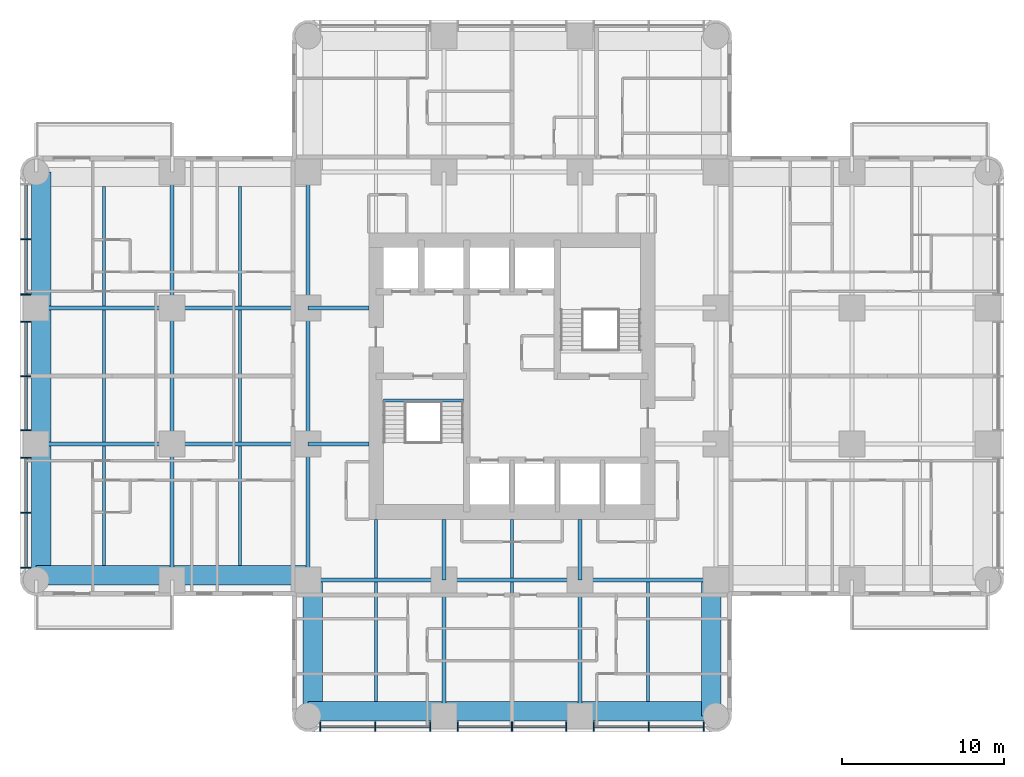
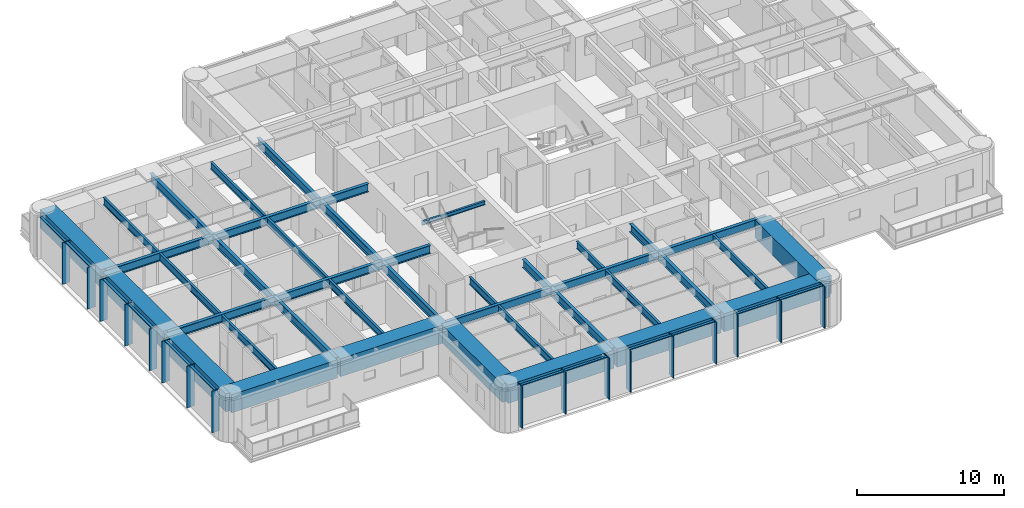
# One storey, part 2 of 15: 41 beams, 29 members, 2 elements without a shape of their own.
"""IFC4 building model written with IfcOpenShell, lengths in metres."""

from ifc_helpers import new_model, si_unit, direction, frame, origin, origin_2d, place, context, subcontext, project, spatial, rectangle, i_section, extrude, material, material_profile, profile_set, type_object, element, aggregate, save


model = new_model("IFC4")

# Units and contexts
model_context = context("Model", 3, precision=1e-05, world=origin(), true_north=direction((0.0, 1.0)))
body_context = subcontext(model_context, "Body", "Model", "MODEL_VIEW")
ifc_project = project(units=[si_unit("LENGTHUNIT", "METRE"), si_unit("AREAUNIT", "SQUARE_METRE"), si_unit("VOLUMEUNIT", "CUBIC_METRE"), si_unit("PLANEANGLEUNIT", "RADIAN"), si_unit("MASSUNIT", "GRAM", prefix="KILO")], contexts=[model_context])

# Site, building, storey
site_placement = place(None, origin())
site = spatial("IfcSite", under=ifc_project, at=site_placement, CompositionType="ELEMENT")
building_placement = place(site_placement, origin())
building = spatial("IfcBuilding", under=site, at=building_placement, Name="Torre Alcanfor", CompositionType="ELEMENT")
storey_placement = place(building_placement, frame((0.0, 0.0, 152.10009765625)))
storey = spatial("IfcBuildingStorey", under=building, at=storey_placement, Name="L39", CompositionType="ELEMENT", Elevation=152.10009765625)

# Curtain wall, members
ifc_material_1 = material(Name="Aluminium and glass", Category="aluminium")
curtain_wall_type = type_object("IfcCurtainWallType", Name="CW-A unitised apartment glazing with vertical FIN", PredefinedType="NOTDEFINED", material=ifc_material_1)
curtain_wall_1_placement = place(storey_placement, origin())
curtain_wall_1 = element("IfcCurtainWall", 1, at=curtain_wall_1_placement, inside=storey, type_object=curtain_wall_type, Name="Curtain wall CW-A L39 2", PredefinedType="NOTDEFINED")
ifc_material_2 = material(Name="Bronze anodised aluminium", Category="aluminium")
ifc_material_profile_1 = material_profile(ifc_material_2, rectangle(XDim=0.60009765625, YDim=0.06494140625, at=origin_2d()), Name="CW-A mullion 65x600")
ifc_profile_set_1 = profile_set([ifc_material_profile_1], Name="Bronze anodised aluminium")
member_type_1 = type_object("IfcMemberType", Name="CW-A mullion with vertical FIN 65x600", PredefinedType="MULLION", material=ifc_profile_set_1)
member_1_placement = place(storey_placement, frame((-0.64990234375, 37.840087890625, 0.0), z_axis=(0.0, 0.0, 1.0), x_axis=(1.0, 0.0, 0.0)))
member_1 = element("IfcMember", 2, at=member_1_placement, type_object=member_type_1, Name="CW-A mullion 1.2", PredefinedType="MULLION", context=body_context, shape_type="SweptSolid", body=[
    extrude(rectangle(XDim=0.60009765625, YDim=0.06494140625, at=origin_2d()), origin(), (0.0, 0.0, 1.0), 3.449951171875),
])
member_2_placement = place(storey_placement, frame((-0.64990234375, 34.4375, 0.0), z_axis=(0.0, 0.0, 1.0), x_axis=(1.0, 0.0, 0.0)))
member_2 = element("IfcMember", 3, at=member_2_placement, type_object=member_type_1, Name="CW-A mullion 1.3", PredefinedType="MULLION", context=body_context, shape_type="SweptSolid", body=[
    extrude(rectangle(XDim=0.60009765625, YDim=0.06494140625, at=origin_2d()), origin(), (0.0, 0.0, 1.0), 3.449951171875),
])
member_3_placement = place(storey_placement, frame((-0.64990234375, 32.762451171875, 0.0), z_axis=(0.0, 0.0, 1.0), x_axis=(1.0, 0.0, 0.0)))
member_3 = element("IfcMember", 4, at=member_3_placement, type_object=member_type_1, Name="CW-A mullion 2.1", PredefinedType="MULLION", context=body_context, shape_type="SweptSolid", body=[
    extrude(rectangle(XDim=0.60009765625, YDim=0.06494140625, at=origin_2d()), origin(), (0.0, 0.0, 1.0), 3.449951171875),
])
member_4_placement = place(storey_placement, frame((-0.64990234375, 29.39990234375, 0.0), z_axis=(0.0, 0.0, 1.0), x_axis=(1.0, 0.0, 0.0)))
member_4 = element("IfcMember", 5, at=member_4_placement, type_object=member_type_1, Name="CW-A mullion 2.2", PredefinedType="MULLION", context=body_context, shape_type="SweptSolid", body=[
    extrude(rectangle(XDim=0.60009765625, YDim=0.06494140625, at=origin_2d()), origin(), (0.0, 0.0, 1.0), 3.449951171875),
])
member_5_placement = place(storey_placement, frame((-0.64990234375, 26.03759765625, 0.0), z_axis=(0.0, 0.0, 1.0), x_axis=(1.0, 0.0, 0.0)))
member_5 = element("IfcMember", 6, at=member_5_placement, type_object=member_type_1, Name="CW-A mullion 2.3", PredefinedType="MULLION", context=body_context, shape_type="SweptSolid", body=[
    extrude(rectangle(XDim=0.60009765625, YDim=0.06494140625, at=origin_2d()), origin(), (0.0, 0.0, 1.0), 3.449951171875),
])
member_6_placement = place(storey_placement, frame((-0.64990234375, 24.362548828125, 0.0), z_axis=(0.0, 0.0, 1.0), x_axis=(1.0, 0.0, 0.0)))
member_6 = element("IfcMember", 7, at=member_6_placement, type_object=member_type_1, Name="CW-A mullion 3.1", PredefinedType="MULLION", context=body_context, shape_type="SweptSolid", body=[
    extrude(rectangle(XDim=0.60009765625, YDim=0.06494140625, at=origin_2d()), origin(), (0.0, 0.0, 1.0), 3.449951171875),
])
member_7_placement = place(storey_placement, frame((-0.64990234375, 20.9599609375, 0.0), z_axis=(0.0, 0.0, 1.0), x_axis=(1.0, 0.0, 0.0)))
member_7 = element("IfcMember", 8, at=member_7_placement, type_object=member_type_1, Name="CW-A mullion 3.2", PredefinedType="MULLION", context=body_context, shape_type="SweptSolid", body=[
    extrude(rectangle(XDim=0.60009765625, YDim=0.06494140625, at=origin_2d()), origin(), (0.0, 0.0, 1.0), 3.449951171875),
])
member_8_placement = place(storey_placement, frame((-0.64990234375, 17.557373046875, 0.0), z_axis=(0.0, 0.0, 1.0), x_axis=(1.0, 0.0, 0.0)))
member_8 = element("IfcMember", 9, at=member_8_placement, type_object=member_type_1, Name="CW-A mullion 3.3", PredefinedType="MULLION", context=body_context, shape_type="SweptSolid", body=[
    extrude(rectangle(XDim=0.60009765625, YDim=0.06494140625, at=origin_2d()), origin(), (0.0, 0.0, 1.0), 3.449951171875),
])

curtain_wall_2_placement = place(storey_placement, origin())
curtain_wall_2 = element("IfcCurtainWall", 10, at=curtain_wall_2_placement, inside=storey, type_object=curtain_wall_type, Name="Curtain wall CW-A L39 5", PredefinedType="NOTDEFINED")
member_9_placement = place(storey_placement, frame((17.557373046875, 7.75, 0.0), z_axis=(0.0, 0.0, 1.0), x_axis=(0.0, 1.0, 0.0)))
member_9 = element("IfcMember", 11, at=member_9_placement, type_object=member_type_1, Name="CW-A mullion 1.1", PredefinedType="MULLION", context=body_context, shape_type="SweptSolid", body=[
    extrude(rectangle(XDim=0.60009765625, YDim=0.06494140625, at=origin_2d()), origin(), (0.0, 0.0, 1.0), 3.449951171875),
])
member_10_placement = place(storey_placement, frame((20.9599609375, 7.75, 0.0), z_axis=(0.0, 0.0, 1.0), x_axis=(0.0, 1.0, 0.0)))
member_10 = element("IfcMember", 12, at=member_10_placement, type_object=member_type_1, Name="CW-A mullion 1.2", PredefinedType="MULLION", context=body_context, shape_type="SweptSolid", body=[
    extrude(rectangle(XDim=0.60009765625, YDim=0.06494140625, at=origin_2d()), origin(), (0.0, 0.0, 1.0), 3.449951171875),
])
member_11_placement = place(storey_placement, frame((24.362548828125, 7.75, 0.0), z_axis=(0.0, 0.0, 1.0), x_axis=(0.0, 1.0, 0.0)))
member_11 = element("IfcMember", 13, at=member_11_placement, type_object=member_type_1, Name="CW-A mullion 1.3", PredefinedType="MULLION", context=body_context, shape_type="SweptSolid", body=[
    extrude(rectangle(XDim=0.60009765625, YDim=0.06494140625, at=origin_2d()), origin(), (0.0, 0.0, 1.0), 3.449951171875),
])
member_12_placement = place(storey_placement, frame((26.03759765625, 7.75, 0.0), z_axis=(0.0, 0.0, 1.0), x_axis=(0.0, 1.0, 0.0)))
member_12 = element("IfcMember", 14, at=member_12_placement, type_object=member_type_1, Name="CW-A mullion 2.1", PredefinedType="MULLION", context=body_context, shape_type="SweptSolid", body=[
    extrude(rectangle(XDim=0.60009765625, YDim=0.06494140625, at=origin_2d()), origin(), (0.0, 0.0, 1.0), 3.449951171875),
])
member_13_placement = place(storey_placement, frame((29.39990234375, 7.75, 0.0), z_axis=(0.0, 0.0, 1.0), x_axis=(0.0, 1.0, 0.0)))
member_13 = element("IfcMember", 15, at=member_13_placement, type_object=member_type_1, Name="CW-A mullion 2.2", PredefinedType="MULLION", context=body_context, shape_type="SweptSolid", body=[
    extrude(rectangle(XDim=0.60009765625, YDim=0.06494140625, at=origin_2d()), origin(), (0.0, 0.0, 1.0), 3.449951171875),
])
member_14_placement = place(storey_placement, frame((32.762451171875, 7.75, 0.0), z_axis=(0.0, 0.0, 1.0), x_axis=(0.0, 1.0, 0.0)))
member_14 = element("IfcMember", 16, at=member_14_placement, type_object=member_type_1, Name="CW-A mullion 2.3", PredefinedType="MULLION", context=body_context, shape_type="SweptSolid", body=[
    extrude(rectangle(XDim=0.60009765625, YDim=0.06494140625, at=origin_2d()), origin(), (0.0, 0.0, 1.0), 3.449951171875),
])
member_15_placement = place(storey_placement, frame((34.4375, 7.75, 0.0), z_axis=(0.0, 0.0, 1.0), x_axis=(0.0, 1.0, 0.0)))
member_15 = element("IfcMember", 17, at=member_15_placement, type_object=member_type_1, Name="CW-A mullion 3.1", PredefinedType="MULLION", context=body_context, shape_type="SweptSolid", body=[
    extrude(rectangle(XDim=0.60009765625, YDim=0.06494140625, at=origin_2d()), origin(), (0.0, 0.0, 1.0), 3.449951171875),
])
member_16_placement = place(storey_placement, frame((37.840087890625, 7.75, 0.0), z_axis=(0.0, 0.0, 1.0), x_axis=(0.0, 1.0, 0.0)))
member_16 = element("IfcMember", 18, at=member_16_placement, type_object=member_type_1, Name="CW-A mullion 3.2", PredefinedType="MULLION", context=body_context, shape_type="SweptSolid", body=[
    extrude(rectangle(XDim=0.60009765625, YDim=0.06494140625, at=origin_2d()), origin(), (0.0, 0.0, 1.0), 3.449951171875),
])
member_17_placement = place(storey_placement, frame((41.24267578125, 7.75, 0.0), z_axis=(0.0, 0.0, 1.0), x_axis=(0.0, 1.0, 0.0)))
member_17 = element("IfcMember", 19, at=member_17_placement, type_object=member_type_1, Name="CW-A mullion 3.3", PredefinedType="MULLION", context=body_context, shape_type="SweptSolid", body=[
    extrude(rectangle(XDim=0.60009765625, YDim=0.06494140625, at=origin_2d()), origin(), (0.0, 0.0, 1.0), 3.449951171875),
])

# Member
ifc_material_3 = material(Name="Extruded aluminium", Category="aluminium")
ifc_material_profile_2 = material_profile(ifc_material_3, rectangle(XDim=0.199951171875, YDim=0.06494140625, at=origin_2d()), Name="CW-A transom 200x65")
ifc_profile_set_2 = profile_set([ifc_material_profile_2], Name="Extruded aluminium")
member_type_2 = type_object("IfcMemberType", Name="CW-A transom 65x200", PredefinedType="USERDEFINED", material=ifc_profile_set_2)
member_18_placement = place(storey_placement, frame((-0.64990234375, 41.210205078125, 3.41748046875), z_axis=(0.0, -1.0, 0.0), x_axis=(1.0, 0.0, 0.0)))
member_18 = element("IfcMember", 20, at=member_18_placement, type_object=member_type_2, Name="CW-A transom 1.1.2", ObjectType="TRANSOM", PredefinedType="USERDEFINED", context=body_context, shape_type="SweptSolid", body=[
    extrude(rectangle(XDim=0.199951171875, YDim=0.06494140625, at=origin_2d()), origin(), (0.0, 0.0, 1.0), 3.337646484375),
])

member_19_placement = place(storey_placement, frame((-0.64990234375, 37.8076171875, 3.41748046875), z_axis=(0.0, -1.0, 0.0), x_axis=(1.0, 0.0, 0.0)))
member_19 = element("IfcMember", 21, at=member_19_placement, type_object=member_type_2, Name="CW-A transom 1.2.2", ObjectType="TRANSOM", PredefinedType="USERDEFINED", context=body_context, shape_type="SweptSolid", body=[
    extrude(rectangle(XDim=0.199951171875, YDim=0.06494140625, at=origin_2d()), origin(), (0.0, 0.0, 1.0), 3.337646484375),
])

member_20_placement = place(storey_placement, frame((-0.64990234375, 32.72998046875, 3.41748046875), z_axis=(0.0, -1.0, 0.0), x_axis=(1.0, 0.0, 0.0)))
member_20 = element("IfcMember", 22, at=member_20_placement, type_object=member_type_2, Name="CW-A transom 2.1.2", ObjectType="TRANSOM", PredefinedType="USERDEFINED", context=body_context, shape_type="SweptSolid", body=[
    extrude(rectangle(XDim=0.199951171875, YDim=0.06494140625, at=origin_2d()), origin(), (0.0, 0.0, 1.0), 3.29736328125),
])

member_21_placement = place(storey_placement, frame((-0.64990234375, 29.367431640625, 3.41748046875), z_axis=(0.0, -1.0, 0.0), x_axis=(1.0, 0.0, 0.0)))
member_21 = element("IfcMember", 23, at=member_21_placement, type_object=member_type_2, Name="CW-A transom 2.2.2", ObjectType="TRANSOM", PredefinedType="USERDEFINED", context=body_context, shape_type="SweptSolid", body=[
    extrude(rectangle(XDim=0.199951171875, YDim=0.06494140625, at=origin_2d()), origin(), (0.0, 0.0, 1.0), 3.29736328125),
])

member_22_placement = place(storey_placement, frame((-0.64990234375, 24.330078125, 3.41748046875), z_axis=(0.0, -1.0, 0.0), x_axis=(1.0, 0.0, 0.0)))
member_22 = element("IfcMember", 24, at=member_22_placement, type_object=member_type_2, Name="CW-A transom 3.1.2", ObjectType="TRANSOM", PredefinedType="USERDEFINED", context=body_context, shape_type="SweptSolid", body=[
    extrude(rectangle(XDim=0.199951171875, YDim=0.06494140625, at=origin_2d()), origin(), (0.0, 0.0, 1.0), 3.337646484375),
])

member_23_placement = place(storey_placement, frame((-0.64990234375, 20.927490234375, 3.41748046875), z_axis=(0.0, -1.0, 0.0), x_axis=(1.0, 0.0, 0.0)))
member_23 = element("IfcMember", 25, at=member_23_placement, type_object=member_type_2, Name="CW-A transom 3.2.2", ObjectType="TRANSOM", PredefinedType="USERDEFINED", context=body_context, shape_type="SweptSolid", body=[
    extrude(rectangle(XDim=0.199951171875, YDim=0.06494140625, at=origin_2d()), origin(), (0.0, 0.0, 1.0), 3.337646484375),
])

aggregate(curtain_wall_1, [member_1, member_2, member_18, member_19, member_3, member_4, member_5, member_20, member_21, member_6, member_7, member_8, member_22, member_23])

member_24_placement = place(storey_placement, frame((17.58984375, 7.75, 3.41748046875), z_axis=(1.0, 0.0, 0.0), x_axis=(0.0, 1.0, 0.0)))
member_24 = element("IfcMember", 26, at=member_24_placement, type_object=member_type_2, Name="CW-A transom 1.1.2", ObjectType="TRANSOM", PredefinedType="USERDEFINED", context=body_context, shape_type="SweptSolid", body=[
    extrude(rectangle(XDim=0.199951171875, YDim=0.06494140625, at=origin_2d()), origin(), (0.0, 0.0, 1.0), 3.337646484375),
])

member_25_placement = place(storey_placement, frame((20.992431640625, 7.75, 3.41748046875), z_axis=(1.0, 0.0, 0.0), x_axis=(0.0, 1.0, 0.0)))
member_25 = element("IfcMember", 27, at=member_25_placement, type_object=member_type_2, Name="CW-A transom 1.2.2", ObjectType="TRANSOM", PredefinedType="USERDEFINED", context=body_context, shape_type="SweptSolid", body=[
    extrude(rectangle(XDim=0.199951171875, YDim=0.06494140625, at=origin_2d()), origin(), (0.0, 0.0, 1.0), 3.337646484375),
])

member_26_placement = place(storey_placement, frame((26.070068359375, 7.75, 3.41748046875), z_axis=(1.0, 0.0, 0.0), x_axis=(0.0, 1.0, 0.0)))
member_26 = element("IfcMember", 28, at=member_26_placement, type_object=member_type_2, Name="CW-A transom 2.1.2", ObjectType="TRANSOM", PredefinedType="USERDEFINED", context=body_context, shape_type="SweptSolid", body=[
    extrude(rectangle(XDim=0.199951171875, YDim=0.06494140625, at=origin_2d()), origin(), (0.0, 0.0, 1.0), 3.29736328125),
])

member_27_placement = place(storey_placement, frame((29.4326171875, 7.75, 3.41748046875), z_axis=(1.0, 0.0, 0.0), x_axis=(0.0, 1.0, 0.0)))
member_27 = element("IfcMember", 29, at=member_27_placement, type_object=member_type_2, Name="CW-A transom 2.2.2", ObjectType="TRANSOM", PredefinedType="USERDEFINED", context=body_context, shape_type="SweptSolid", body=[
    extrude(rectangle(XDim=0.199951171875, YDim=0.06494140625, at=origin_2d()), origin(), (0.0, 0.0, 1.0), 3.29736328125),
])

member_28_placement = place(storey_placement, frame((34.469970703125, 7.75, 3.41748046875), z_axis=(1.0, 0.0, 0.0), x_axis=(0.0, 1.0, 0.0)))
member_28 = element("IfcMember", 30, at=member_28_placement, type_object=member_type_2, Name="CW-A transom 3.1.2", ObjectType="TRANSOM", PredefinedType="USERDEFINED", context=body_context, shape_type="SweptSolid", body=[
    extrude(rectangle(XDim=0.199951171875, YDim=0.06494140625, at=origin_2d()), origin(), (0.0, 0.0, 1.0), 3.337646484375),
])

member_29_placement = place(storey_placement, frame((37.87255859375, 7.75, 3.41748046875), z_axis=(1.0, 0.0, 0.0), x_axis=(0.0, 1.0, 0.0)))
member_29 = element("IfcMember", 31, at=member_29_placement, type_object=member_type_2, Name="CW-A transom 3.2.2", ObjectType="TRANSOM", PredefinedType="USERDEFINED", context=body_context, shape_type="SweptSolid", body=[
    extrude(rectangle(XDim=0.199951171875, YDim=0.06494140625, at=origin_2d()), origin(), (0.0, 0.0, 1.0), 3.337646484375),
])

aggregate(curtain_wall_2, [member_9, member_10, member_11, member_24, member_25, member_12, member_13, member_14, member_26, member_27, member_15, member_16, member_17, member_28, member_29])

# Beams
ifc_material_4 = material(Name="Steel ASTM A992 Grade 50", Category="steel")
ifc_material_profile_3 = material_profile(ifc_material_4, i_section(OverallWidth=0.25390625, OverallDepth=0.683349609375, WebThickness=0.012451171875, FlangeThickness=0.01904296875, at=origin_2d()), Name="W27x94")
ifc_profile_set_3 = profile_set([ifc_material_profile_3], Name="Steel ASTM A992 Grade 50")
beam_type_1 = type_object("IfcBeamType", Name="Girder W27x94", PredefinedType="BEAM", material=ifc_profile_set_3)
beam_1_placement = place(storey_placement, frame((16.800048828125, 16.800048828125, 3.108154296875), z_axis=(1.0, 0.0, 0.0), x_axis=(0.0, 1.0, 0.0)))
element("IfcBeam", 32, at=beam_1_placement, inside=storey, type_object=beam_type_1, Name="Beam 3E-4E under L40", PredefinedType="BEAM", context=body_context, shape_type="SweptSolid", body=[
    extrude(i_section(OverallWidth=0.25390625, OverallDepth=0.683349609375, WebThickness=0.012451171875, FlangeThickness=0.01904296875, at=origin_2d()), origin(), (0.0, 0.0, 1.0), 8.39990234375),
])
beam_2_placement = place(storey_placement, frame((25.199951171875, 16.800048828125, 3.108154296875), z_axis=(1.0, 0.0, 0.0), x_axis=(0.0, 1.0, 0.0)))
element("IfcBeam", 33, at=beam_2_placement, inside=storey, type_object=beam_type_1, Name="Beam 4E-5E under L40", PredefinedType="BEAM", context=body_context, shape_type="SweptSolid", body=[
    extrude(i_section(OverallWidth=0.25390625, OverallDepth=0.683349609375, WebThickness=0.012451171875, FlangeThickness=0.01904296875, at=origin_2d()), origin(), (0.0, 0.0, 1.0), 8.400146484375),
])
for number, where, z_axis, x_axis, name in (
    (34, (33.60009765625, 16.800048828125, 3.108154296875), (1.0, 0.0, 0.0), (0.0, 1.0, 0.0), "Beam 5E-6E under L40"),
    (35, (0.0, 25.199951171875, 3.108154296875), (1.0, 0.0, 0.0), (0.0, 1.0, 0.0), "Beam 1F-2F under L40"),
):
    element("IfcBeam", number, at=place(storey_placement, frame(where, z_axis=z_axis, x_axis=x_axis)), inside=storey, type_object=beam_type_1, Name=name, PredefinedType="BEAM", context=body_context, shape_type="SweptSolid", body=[
        extrude(i_section(OverallWidth=0.25390625, OverallDepth=0.683349609375, WebThickness=0.012451171875, FlangeThickness=0.01904296875, at=origin_2d()), origin(), (0.0, 0.0, 1.0), 8.39990234375),
    ])
beam_3_placement = place(storey_placement, frame((8.39990234375, 25.199951171875, 3.108154296875), z_axis=(1.0, 0.0, 0.0), x_axis=(0.0, 1.0, 0.0)))
element("IfcBeam", 36, at=beam_3_placement, inside=storey, type_object=beam_type_1, Name="Beam 2F-3F under L40", PredefinedType="BEAM", context=body_context, shape_type="SweptSolid", body=[
    extrude(i_section(OverallWidth=0.25390625, OverallDepth=0.683349609375, WebThickness=0.012451171875, FlangeThickness=0.01904296875, at=origin_2d()), origin(), (0.0, 0.0, 1.0), 8.400146484375),
])
beam_4_placement = place(storey_placement, frame((0.0, 33.60009765625, 3.108154296875), z_axis=(1.0, 0.0, 0.0), x_axis=(0.0, 1.0, 0.0)))
element("IfcBeam", 37, at=beam_4_placement, inside=storey, type_object=beam_type_1, Name="Beam 1G-2G under L40", PredefinedType="BEAM", context=body_context, shape_type="SweptSolid", body=[
    extrude(i_section(OverallWidth=0.25390625, OverallDepth=0.683349609375, WebThickness=0.012451171875, FlangeThickness=0.01904296875, at=origin_2d()), origin(), (0.0, 0.0, 1.0), 8.39990234375),
])
beam_5_placement = place(storey_placement, frame((8.39990234375, 33.60009765625, 3.108154296875), z_axis=(1.0, 0.0, 0.0), x_axis=(0.0, 1.0, 0.0)))
element("IfcBeam", 38, at=beam_5_placement, inside=storey, type_object=beam_type_1, Name="Beam 2G-3G under L40", PredefinedType="BEAM", context=body_context, shape_type="SweptSolid", body=[
    extrude(i_section(OverallWidth=0.25390625, OverallDepth=0.683349609375, WebThickness=0.012451171875, FlangeThickness=0.01904296875, at=origin_2d()), origin(), (0.0, 0.0, 1.0), 8.400146484375),
])
beam_6_placement = place(storey_placement, frame((8.39990234375, 16.800048828125, 3.108154296875), z_axis=(0.0, 1.0, 0.0), x_axis=(-1.0, 0.0, 0.0)))
element("IfcBeam", 39, at=beam_6_placement, inside=storey, type_object=beam_type_1, Name="Beam 2E-2F under L40", PredefinedType="BEAM", context=body_context, shape_type="SweptSolid", body=[
    extrude(i_section(OverallWidth=0.25390625, OverallDepth=0.683349609375, WebThickness=0.012451171875, FlangeThickness=0.01904296875, at=origin_2d()), origin(), (0.0, 0.0, 1.0), 8.39990234375),
])
beam_7_placement = place(storey_placement, frame((8.39990234375, 25.199951171875, 3.108154296875), z_axis=(0.0, 1.0, 0.0), x_axis=(-1.0, 0.0, 0.0)))
element("IfcBeam", 40, at=beam_7_placement, inside=storey, type_object=beam_type_1, Name="Beam 2F-2G under L40", PredefinedType="BEAM", context=body_context, shape_type="SweptSolid", body=[
    extrude(i_section(OverallWidth=0.25390625, OverallDepth=0.683349609375, WebThickness=0.012451171875, FlangeThickness=0.01904296875, at=origin_2d()), origin(), (0.0, 0.0, 1.0), 8.400146484375),
])
for number, where, z_axis, x_axis, name in (
    (41, (8.39990234375, 33.60009765625, 3.108154296875), (0.0, 1.0, 0.0), (-1.0, 0.0, 0.0), "Beam 2G-2H under L40"),
    (42, (16.800048828125, 16.800048828125, 3.108154296875), (0.0, 1.0, 0.0), (-1.0, 0.0, 0.0), "Beam 3E-3F under L40"),
):
    element("IfcBeam", number, at=place(storey_placement, frame(where, z_axis=z_axis, x_axis=x_axis)), inside=storey, type_object=beam_type_1, Name=name, PredefinedType="BEAM", context=body_context, shape_type="SweptSolid", body=[
        extrude(i_section(OverallWidth=0.25390625, OverallDepth=0.683349609375, WebThickness=0.012451171875, FlangeThickness=0.01904296875, at=origin_2d()), origin(), (0.0, 0.0, 1.0), 8.39990234375),
    ])
beam_8_placement = place(storey_placement, frame((16.800048828125, 25.199951171875, 3.108154296875), z_axis=(0.0, 1.0, 0.0), x_axis=(-1.0, 0.0, 0.0)))
element("IfcBeam", 43, at=beam_8_placement, inside=storey, type_object=beam_type_1, Name="Beam 3F-3G under L40", PredefinedType="BEAM", context=body_context, shape_type="SweptSolid", body=[
    extrude(i_section(OverallWidth=0.25390625, OverallDepth=0.683349609375, WebThickness=0.012451171875, FlangeThickness=0.01904296875, at=origin_2d()), origin(), (0.0, 0.0, 1.0), 8.400146484375),
])
beam_9_placement = place(storey_placement, frame((16.800048828125, 33.60009765625, 3.108154296875), z_axis=(0.0, 1.0, 0.0), x_axis=(-1.0, 0.0, 0.0)))
element("IfcBeam", 44, at=beam_9_placement, inside=storey, type_object=beam_type_1, Name="Beam 3G-3H under L40", PredefinedType="BEAM", context=body_context, shape_type="SweptSolid", body=[
    extrude(i_section(OverallWidth=0.25390625, OverallDepth=0.683349609375, WebThickness=0.012451171875, FlangeThickness=0.01904296875, at=origin_2d()), origin(), (0.0, 0.0, 1.0), 8.39990234375),
])
for number, where, z_axis, x_axis, name in (
    (45, (25.199951171875, 8.39990234375, 3.108154296875), (0.0, 1.0, 0.0), (-1.0, 0.0, 0.0), "Beam 4D-4E under L40"),
    (46, (33.60009765625, 8.39990234375, 3.108154296875), (0.0, 1.0, 0.0), (-1.0, 0.0, 0.0), "Beam 5D-5E under L40"),
):
    element("IfcBeam", number, at=place(storey_placement, frame(where, z_axis=z_axis, x_axis=x_axis)), inside=storey, type_object=beam_type_1, Name=name, PredefinedType="BEAM", context=body_context, shape_type="SweptSolid", body=[
        extrude(i_section(OverallWidth=0.25390625, OverallDepth=0.683349609375, WebThickness=0.012451171875, FlangeThickness=0.01904296875, at=origin_2d()), origin(), (0.0, 0.0, 1.0), 8.400146484375),
    ])
ifc_material_5 = material(Name="Steel ASTM A992 Grade 50", Category="steel")
ifc_material_profile_4 = material_profile(ifc_material_5, i_section(OverallWidth=0.25390625, OverallDepth=0.683349609375, WebThickness=0.012451171875, FlangeThickness=0.01904296875, at=origin_2d()), Name="W27x94")
ifc_profile_set_4 = profile_set([ifc_material_profile_4], Name="Steel ASTM A992 Grade 50")
beam_type_2 = type_object("IfcBeamType", Name="Girder, part bay W27x94", PredefinedType="BEAM", material=ifc_profile_set_4)
for number, where, z_axis, x_axis, name in (
    (47, (25.199951171875, 16.800048828125, 3.108154296875), (0.0, 1.0, 0.0), (-1.0, 0.0, 0.0), "Beam 4E-420_55 under L40"),
    (48, (33.60009765625, 16.800048828125, 3.108154296875), (0.0, 1.0, 0.0), (-1.0, 0.0, 0.0), "Beam 5E-520_55 under L40"),
    (49, (16.800048828125, 25.199951171875, 3.108154296875), (1.0, 0.0, 0.0), (0.0, 1.0, 0.0), "Beam 3F-20_55F under L40"),
    (50, (16.800048828125, 33.60009765625, 3.108154296875), (1.0, 0.0, 0.0), (0.0, 1.0, 0.0), "Beam 3G-20_55G under L40"),
):
    element("IfcBeam", number, at=place(storey_placement, frame(where, z_axis=z_axis, x_axis=x_axis)), inside=storey, type_object=beam_type_2, Name=name, PredefinedType="BEAM", context=body_context, shape_type="SweptSolid", body=[
        extrude(i_section(OverallWidth=0.25390625, OverallDepth=0.683349609375, WebThickness=0.012451171875, FlangeThickness=0.01904296875, at=origin_2d()), origin(), (0.0, 0.0, 1.0), 3.75),
    ])
ifc_material_6 = material(Name="Concrete f'c 70 MPa", Category="concrete")
ifc_material_profile_5 = material_profile(ifc_material_6, rectangle(XDim=1.199951171875, YDim=1.5, at=origin_2d()), Name="1200x1500")
ifc_profile_set_5 = profile_set([ifc_material_profile_5], Name="Concrete f'c 70 MPa")
beam_type_3 = type_object("IfcBeamType", Name="RC perimeter beam 1200x1500", PredefinedType="BEAM", material=ifc_profile_set_5)
beam_10_placement = place(storey_placement, frame((16.800048828125, 8.699951171875, 2.699951171875), z_axis=(1.0, 0.0, 0.0), x_axis=(0.0, 1.0, 0.0)))
element("IfcBeam", 51, at=beam_10_placement, inside=storey, type_object=beam_type_3, Name="Beam 3D-4D under L40", PredefinedType="BEAM", context=body_context, shape_type="SweptSolid", body=[
    extrude(rectangle(XDim=1.199951171875, YDim=1.5, at=origin_2d()), origin(), (0.0, 0.0, 1.0), 8.27294921875),
])
beam_11_placement = place(storey_placement, frame((25.326904296875, 8.699951171875, 2.699951171875), z_axis=(1.0, 0.0, 0.0), x_axis=(0.0, 1.0, 0.0)))
element("IfcBeam", 52, at=beam_11_placement, inside=storey, type_object=beam_type_3, Name="Beam 4D-5D under L40", PredefinedType="BEAM", context=body_context, shape_type="SweptSolid", body=[
    extrude(rectangle(XDim=1.199951171875, YDim=1.5, at=origin_2d()), origin(), (0.0, 0.0, 1.0), 8.14599609375),
])
for number, where, z_axis, x_axis, name in (
    (53, (33.72705078125, 8.699951171875, 2.699951171875), (1.0, 0.0, 0.0), (0.0, 1.0, 0.0), "Beam 5D-6D under L40"),
    (54, (0.0, 17.10009765625, 2.699951171875), (1.0, 0.0, 0.0), (0.0, 1.0, 0.0), "Beam 1E-2E under L40"),
):
    element("IfcBeam", number, at=place(storey_placement, frame(where, z_axis=z_axis, x_axis=x_axis)), inside=storey, type_object=beam_type_3, Name=name, PredefinedType="BEAM", context=body_context, shape_type="SweptSolid", body=[
        extrude(rectangle(XDim=1.199951171875, YDim=1.5, at=origin_2d()), origin(), (0.0, 0.0, 1.0), 8.27294921875),
    ])
beam_12_placement = place(storey_placement, frame((8.527099609375, 17.10009765625, 2.699951171875), z_axis=(1.0, 0.0, 0.0), x_axis=(0.0, 1.0, 0.0)))
element("IfcBeam", 55, at=beam_12_placement, inside=storey, type_object=beam_type_3, Name="Beam 2E-3E under L40", PredefinedType="BEAM", context=body_context, shape_type="SweptSolid", body=[
    extrude(rectangle(XDim=1.199951171875, YDim=1.5, at=origin_2d()), origin(), (0.0, 0.0, 1.0), 8.39990234375),
])
beam_13_placement = place(storey_placement, frame((0.300048828125, 16.800048828125, 2.699951171875), z_axis=(0.0, 1.0, 0.0), x_axis=(-1.0, 0.0, 0.0)))
element("IfcBeam", 56, at=beam_13_placement, inside=storey, type_object=beam_type_3, Name="Beam 1E-1F under L40", PredefinedType="BEAM", context=body_context, shape_type="SweptSolid", body=[
    extrude(rectangle(XDim=1.199951171875, YDim=1.5, at=origin_2d()), origin(), (0.0, 0.0, 1.0), 8.27294921875),
])
beam_14_placement = place(storey_placement, frame((0.300048828125, 25.326904296875, 2.699951171875), z_axis=(0.0, 1.0, 0.0), x_axis=(-1.0, 0.0, 0.0)))
element("IfcBeam", 57, at=beam_14_placement, inside=storey, type_object=beam_type_3, Name="Beam 1F-1G under L40", PredefinedType="BEAM", context=body_context, shape_type="SweptSolid", body=[
    extrude(rectangle(XDim=1.199951171875, YDim=1.5, at=origin_2d()), origin(), (0.0, 0.0, 1.0), 8.14599609375),
])
beam_15_placement = place(storey_placement, frame((0.300048828125, 33.72705078125, 2.699951171875), z_axis=(0.0, 1.0, 0.0), x_axis=(-1.0, 0.0, 0.0)))
element("IfcBeam", 58, at=beam_15_placement, inside=storey, type_object=beam_type_3, Name="Beam 1G-1H under L40", PredefinedType="BEAM", context=body_context, shape_type="SweptSolid", body=[
    extrude(rectangle(XDim=1.199951171875, YDim=1.5, at=origin_2d()), origin(), (0.0, 0.0, 1.0), 8.27294921875),
])
for number, where, z_axis, x_axis, name in (
    (59, (17.10009765625, 8.39990234375, 2.699951171875), (0.0, 1.0, 0.0), (-1.0, 0.0, 0.0), "Beam 3D-3E under L40"),
    (60, (41.699951171875, 8.39990234375, 2.699951171875), (0.0, 1.0, 0.0), (-1.0, 0.0, 0.0), "Beam 6D-6E under L40"),
):
    element("IfcBeam", number, at=place(storey_placement, frame(where, z_axis=z_axis, x_axis=x_axis)), inside=storey, type_object=beam_type_3, Name=name, PredefinedType="BEAM", context=body_context, shape_type="SweptSolid", body=[
        extrude(rectangle(XDim=1.199951171875, YDim=1.5, at=origin_2d()), origin(), (0.0, 0.0, 1.0), 8.273193359375),
    ])
ifc_material_7 = material(Name="Steel ASTM A992 Grade 50", Category="steel")
ifc_material_profile_6 = material_profile(ifc_material_7, i_section(OverallWidth=0.1787109375, OverallDepth=0.60205078125, WebThickness=0.010986328125, FlangeThickness=0.014892578125, at=origin_2d()), Name="W24x62")
ifc_profile_set_6 = profile_set([ifc_material_profile_6], Name="Steel ASTM A992 Grade 50")
beam_type_4 = type_object("IfcBeamType", Name="Secondary beam W24x62", PredefinedType="BEAM", material=ifc_profile_set_6)
beam_16_placement = place(storey_placement, frame((4.199951171875, 17.699951171875, 3.14892578125), z_axis=(0.0, 1.0, 0.0), x_axis=(-1.0, 0.0, 0.0)))
element("IfcBeam", 61, at=beam_16_placement, inside=storey, type_object=beam_type_4, Name="Beam 4_2E-4_2F under L40", PredefinedType="BEAM", context=body_context, shape_type="SweptSolid", body=[
    extrude(i_section(OverallWidth=0.1787109375, OverallDepth=0.60205078125, WebThickness=0.010986328125, FlangeThickness=0.014892578125, at=origin_2d()), origin(), (0.0, 0.0, 1.0), 7.373046875),
])
beam_17_placement = place(storey_placement, frame((4.199951171875, 25.326904296875, 3.14892578125), z_axis=(0.0, 1.0, 0.0), x_axis=(-1.0, 0.0, 0.0)))
element("IfcBeam", 62, at=beam_17_placement, inside=storey, type_object=beam_type_4, Name="Beam 4_2F-4_2G under L40", PredefinedType="BEAM", context=body_context, shape_type="SweptSolid", body=[
    extrude(i_section(OverallWidth=0.1787109375, OverallDepth=0.60205078125, WebThickness=0.010986328125, FlangeThickness=0.014892578125, at=origin_2d()), origin(), (0.0, 0.0, 1.0), 8.14599609375),
])
for number, where, z_axis, x_axis, name in (
    (63, (4.199951171875, 33.72705078125, 3.14892578125), (0.0, 1.0, 0.0), (-1.0, 0.0, 0.0), "Beam 4_2G-4_2H under L40"),
    (64, (12.60009765625, 17.699951171875, 3.14892578125), (0.0, 1.0, 0.0), (-1.0, 0.0, 0.0), "Beam 12_6E-12_6F under L40"),
):
    element("IfcBeam", number, at=place(storey_placement, frame(where, z_axis=z_axis, x_axis=x_axis)), inside=storey, type_object=beam_type_4, Name=name, PredefinedType="BEAM", context=body_context, shape_type="SweptSolid", body=[
        extrude(i_section(OverallWidth=0.1787109375, OverallDepth=0.60205078125, WebThickness=0.010986328125, FlangeThickness=0.014892578125, at=origin_2d()), origin(), (0.0, 0.0, 1.0), 7.373046875),
    ])
beam_18_placement = place(storey_placement, frame((12.60009765625, 25.326904296875, 3.14892578125), z_axis=(0.0, 1.0, 0.0), x_axis=(-1.0, 0.0, 0.0)))
element("IfcBeam", 65, at=beam_18_placement, inside=storey, type_object=beam_type_4, Name="Beam 12_6F-12_6G under L40", PredefinedType="BEAM", context=body_context, shape_type="SweptSolid", body=[
    extrude(i_section(OverallWidth=0.1787109375, OverallDepth=0.60205078125, WebThickness=0.010986328125, FlangeThickness=0.014892578125, at=origin_2d()), origin(), (0.0, 0.0, 1.0), 8.14599609375),
])
for number, where, z_axis, x_axis, name in (
    (66, (12.60009765625, 33.72705078125, 3.14892578125), (0.0, 1.0, 0.0), (-1.0, 0.0, 0.0), "Beam 12_6G-12_6H under L40"),
    (67, (21.0, 9.300048828125, 3.14892578125), (0.0, 1.0, 0.0), (-1.0, 0.0, 0.0), "Beam 21D-21E under L40"),
    (68, (29.39990234375, 9.300048828125, 3.14892578125), (0.0, 1.0, 0.0), (-1.0, 0.0, 0.0), "Beam 29_4D-29_4E under L40"),
    (69, (37.800048828125, 9.300048828125, 3.14892578125), (0.0, 1.0, 0.0), (-1.0, 0.0, 0.0), "Beam 37_8D-37_8E under L40"),
):
    element("IfcBeam", number, at=place(storey_placement, frame(where, z_axis=z_axis, x_axis=x_axis)), inside=storey, type_object=beam_type_4, Name=name, PredefinedType="BEAM", context=body_context, shape_type="SweptSolid", body=[
        extrude(i_section(OverallWidth=0.1787109375, OverallDepth=0.60205078125, WebThickness=0.010986328125, FlangeThickness=0.014892578125, at=origin_2d()), origin(), (0.0, 0.0, 1.0), 7.373046875),
    ])
ifc_material_8 = material(Name="Steel ASTM A992 Grade 50", Category="steel")
ifc_material_profile_7 = material_profile(ifc_material_8, i_section(OverallWidth=0.1787109375, OverallDepth=0.60205078125, WebThickness=0.010986328125, FlangeThickness=0.014892578125, at=origin_2d()), Name="W24x62")
ifc_profile_set_7 = profile_set([ifc_material_profile_7], Name="Steel ASTM A992 Grade 50")
beam_type_5 = type_object("IfcBeamType", Name="Secondary beam, part bay W24x62", PredefinedType="BEAM", material=ifc_profile_set_7)
for number, where, z_axis, x_axis, name in (
    (70, (21.0, 16.927001953125, 3.14892578125), (0.0, 1.0, 0.0), (-1.0, 0.0, 0.0), "Beam 21E-2120_55 under L40"),
    (71, (29.39990234375, 16.927001953125, 3.14892578125), (0.0, 1.0, 0.0), (-1.0, 0.0, 0.0), "Beam 29_4E-29_420_55 under L40"),
):
    element("IfcBeam", number, at=place(storey_placement, frame(where, z_axis=z_axis, x_axis=x_axis)), inside=storey, type_object=beam_type_5, Name=name, PredefinedType="BEAM", context=body_context, shape_type="SweptSolid", body=[
        extrude(i_section(OverallWidth=0.1787109375, OverallDepth=0.60205078125, WebThickness=0.010986328125, FlangeThickness=0.014892578125, at=origin_2d()), origin(), (0.0, 0.0, 1.0), 3.623046875),
    ])
ifc_material_9 = material(Name="Steel ASTM A992 Grade 50", Category="steel")
ifc_material_profile_8 = material_profile(ifc_material_9, i_section(OverallWidth=0.164794921875, OverallDepth=0.309814453125, WebThickness=0.005859375, FlangeThickness=0.009765625, at=origin_2d()), Name="W12x26")
ifc_profile_set_8 = profile_set([ifc_material_profile_8], Name="Steel ASTM A992 Grade 50")
beam_type_6 = type_object("IfcBeamType", Name="Stair landing beam W12x26", PredefinedType="BEAM", material=ifc_profile_set_8)
beam_19_placement = place(storey_placement, frame((21.449951171875, 27.887451171875, 3.244873046875), z_axis=(1.0, 0.0, 0.0), x_axis=(0.0, 1.0, 0.0)))
element("IfcBeam", 72, at=beam_19_placement, inside=storey, type_object=beam_type_6, Name="Landing trimmer S1 L40", PredefinedType="BEAM", context=body_context, shape_type="SweptSolid", body=[
    extrude(i_section(OverallWidth=0.164794921875, OverallDepth=0.309814453125, WebThickness=0.005859375, FlangeThickness=0.009765625, at=origin_2d()), origin(), (0.0, 0.0, 1.0), 4.949951171875),
])

save(model, "model.ifc")
